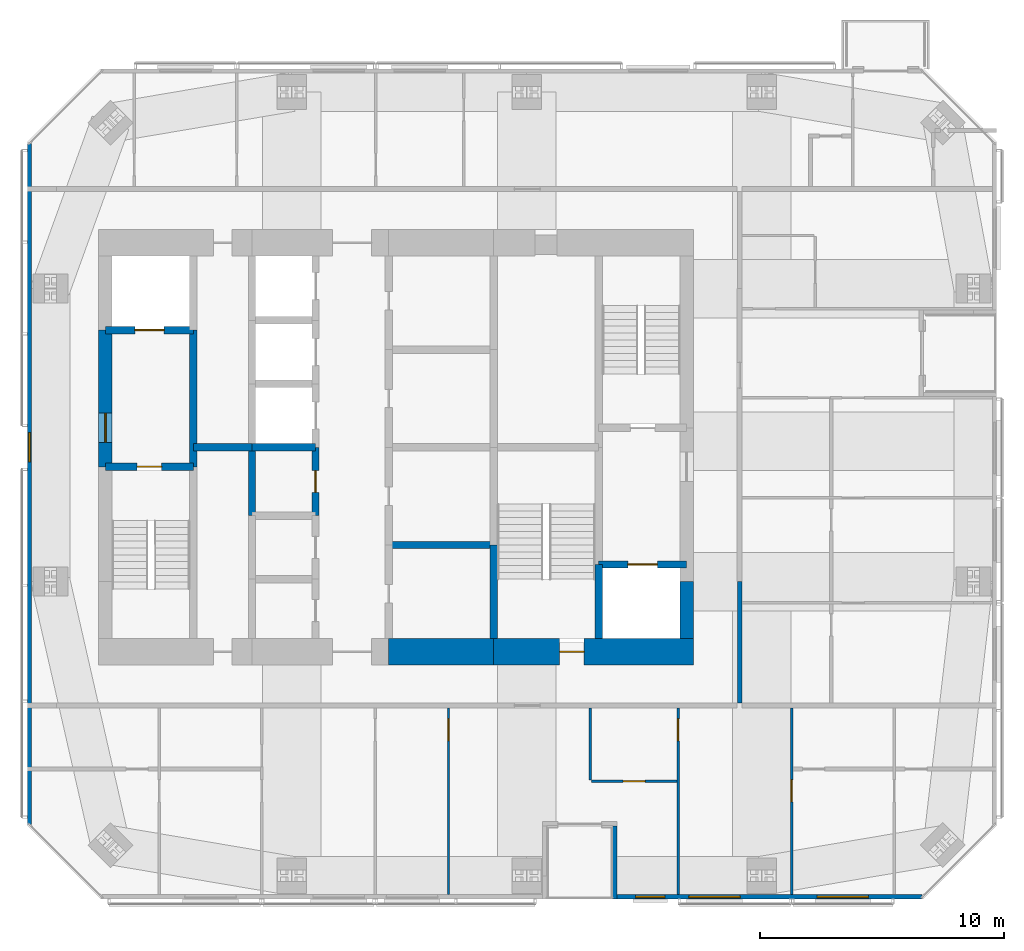
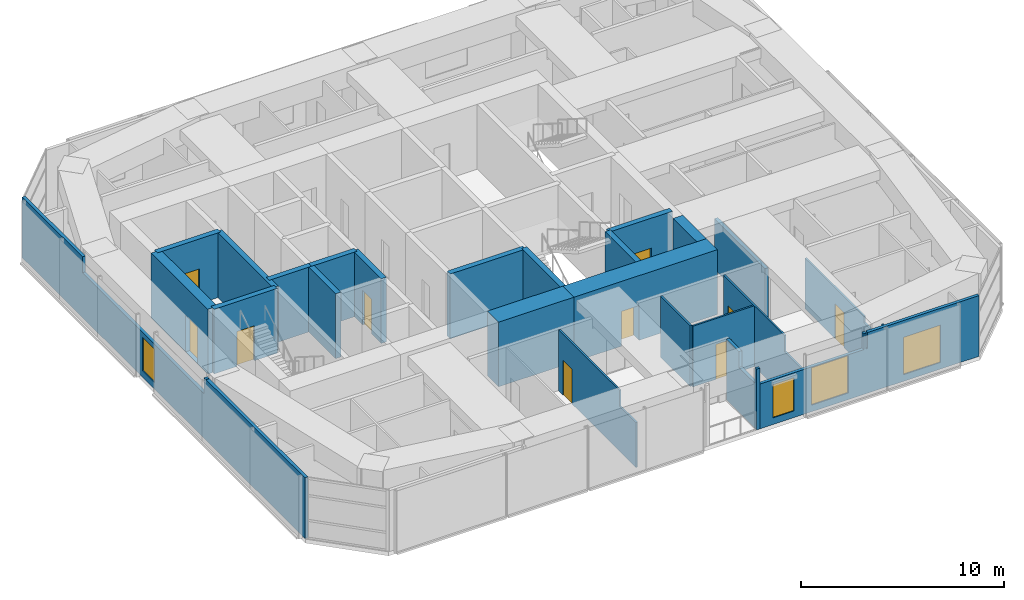
# One storey, part 15 of 20: 24 walls, 10 doors, 4 windows, 14 openings.
"""IFC4 building model written with IfcOpenShell, lengths in metres."""

from ifc_helpers import new_model, si_unit, direction, frame, frame_2d, origin, place, context, subcontext, project, spatial, polyline, rectangle, outline, extrude, material, layer, layer_set, constituent, constituent_set, type_object, element, fill, save


model = new_model("IFC4")

# Units and contexts
model_context = context("Model", 3, precision=1e-05, world=origin(), true_north=direction((0.0, 1.0)))
body_context = subcontext(model_context, "Body", "Model", "MODEL_VIEW")
ifc_project = project(units=[si_unit("LENGTHUNIT", "METRE"), si_unit("AREAUNIT", "SQUARE_METRE"), si_unit("VOLUMEUNIT", "CUBIC_METRE"), si_unit("PLANEANGLEUNIT", "RADIAN"), si_unit("MASSUNIT", "GRAM", prefix="KILO")], contexts=[model_context])

# Site, building, storey
site_placement = place(None, origin())
site = spatial("IfcSite", under=ifc_project, at=site_placement, CompositionType="ELEMENT")
building_placement = place(site_placement, origin())
building = spatial("IfcBuilding", under=site, at=building_placement, Name="Jalousie Tower", CompositionType="ELEMENT")
storey_placement = place(building_placement, frame((0.0, 0.0, 259.949951171875)))
storey = spatial("IfcBuildingStorey", under=building, at=storey_placement, Name="L71", CompositionType="ELEMENT", Elevation=259.949951171875)

# Wall
ifc_material_1 = material(Name="Concrete f'c 120 MPa", Category="concrete")
ifc_layer_1 = layer(ifc_material_1, 1.10009765625)
ifc_layer_set_1 = layer_set([ifc_layer_1], Name="Concrete f'c 120 MPa")
wall_type_1 = type_object("IfcWallType", Name="CORE WALL 1100", PredefinedType="SHEAR", material=ifc_layer_set_1)
wall_1_placement = place(storey_placement, frame((31.60009765625, 10.125, 0.0), z_axis=(0.0, 0.0, 1.0), x_axis=(1.0, 0.0, 0.0)))
element("IfcWall", 1, at=wall_1_placement, inside=storey, type_object=wall_type_1, Name="Core wall SC L71", PredefinedType="SHEAR", context=body_context, shape_type="SweptSolid", body=[
    extrude(rectangle(XDim=4.2998046875, YDim=1.10009765625, at=frame_2d((2.14990234375, 0.0))), origin(), (0.0, 0.0, 1.0), 3.900146484375),
])

# Wall, opening, door
wall_2_placement = place(storey_placement, frame((35.89990234375, 10.125, 0.0), z_axis=(0.0, 0.0, 1.0), x_axis=(1.0, 0.0, 0.0)))
wall_2 = element("IfcWall", 2, at=wall_2_placement, inside=storey, type_object=wall_type_1, Name="Core wall SD L71", PredefinedType="SHEAR", context=body_context, shape_type="SweptSolid", body=[
    extrude(rectangle(XDim=8.175048828125, YDim=1.10009765625, at=frame_2d((4.08740234375, 0.0))), origin(), (0.0, 0.0, 1.0), 3.900146484375),
])
opening_1_placement = place(wall_2_placement, frame((2.699951171875, 0.0, 0.0)))
opening_1 = element("IfcOpeningElement", 3, at=opening_1_placement, cuts=wall_2, Name="Opening D10", PredefinedType="OPENING", context=body_context, shape_type="SweptSolid", body=[
    extrude(rectangle(XDim=1.0, YDim=2.10009765625, at=frame_2d((0.5, 1.050048828125))), frame((0.0, 0.56005859375, 0.0), z_axis=(0.0, -1.0, 0.0), x_axis=(1.0, 0.0, 0.0)), (0.0, 0.0, 1.0), 1.1201171875),
])
ifc_material_2 = material(Name="Steel fire door", Category="steel")
door_type_1 = type_object("IfcDoorType", Name="STAIR DOOR 1000", OperationType="SINGLE_SWING_LEFT", PredefinedType="DOOR", material=ifc_material_2)
door_1_placement = place(opening_1_placement, origin())
door_1 = element("IfcDoor", 4, at=door_1_placement, inside=storey, type_object=door_type_1, Name="Exit stair C door", OperationType="SINGLE_SWING_RIGHT", OverallHeight=2.10009765625, OverallWidth=1.0, PredefinedType="DOOR", context=body_context, shape_type="SweptSolid", body=[
    extrude(rectangle(XDim=1.0, YDim=2.10009765625, at=frame_2d((0.5, 1.050048828125))), frame((0.0, 0.02490234375, 0.0), z_axis=(0.0, -1.0, 0.0), x_axis=(1.0, 0.0, 0.0)), (0.0, 0.0, 1.0), 0.050048828125),
])
fill(opening_1, door_1)

# Walls
ifc_material_3 = material(Name="Concrete f'c 120 MPa", Category="concrete")
ifc_layer_2 = layer(ifc_material_3, 0.300048828125)
ifc_layer_set_2 = layer_set([ifc_layer_2], Name="Concrete f'c 120 MPa")
wall_type_2 = type_object("IfcWallType", Name="CORE WALL 300", PredefinedType="SHEAR", material=ifc_layer_set_2)
wall_3_placement = place(storey_placement, frame((23.60009765625, 17.699951171875, 0.0), z_axis=(0.0, 0.0, 1.0), x_axis=(0.0, 1.0, 0.0)))
element("IfcWall", 5, at=wall_3_placement, inside=storey, type_object=wall_type_2, Name="Core wall X23.6B L71", PredefinedType="SHEAR", context=body_context, shape_type="SweptSolid", body=[
    extrude(rectangle(XDim=5.60009765625, YDim=0.300048828125, at=frame_2d((2.800048828125, 0.0))), origin(), (0.0, 0.0, 1.0), 3.900146484375),
])
wall_4_placement = place(storey_placement, frame((26.0, 15.699951171875, 0.0), z_axis=(0.0, 0.0, 1.0), x_axis=(0.0, 1.0, 0.0)))
element("IfcWall", 6, at=wall_4_placement, inside=storey, type_object=wall_type_2, Name="Core wall X26C L71", PredefinedType="SHEAR", context=body_context, shape_type="SweptSolid", body=[
    extrude(rectangle(XDim=2.800048828125, YDim=0.300048828125, at=frame_2d((1.39990234375, 0.0))), origin(), (0.0, 0.0, 1.0), 3.900146484375),
])

# Wall, opening, door
wall_5_placement = place(storey_placement, frame((28.60009765625, 15.699951171875, 0.0), z_axis=(0.0, 0.0, 1.0), x_axis=(0.0, 1.0, 0.0)))
wall_5 = element("IfcWall", 7, at=wall_5_placement, inside=storey, type_object=wall_type_2, Name="Core wall X28.6C L71", PredefinedType="SHEAR", context=body_context, shape_type="SweptSolid", body=[
    extrude(rectangle(XDim=2.800048828125, YDim=0.300048828125, at=frame_2d((1.39990234375, 0.0))), origin(), (0.0, 0.0, 1.0), 3.900146484375),
])
opening_2_placement = place(wall_5_placement, frame((0.949951171875, 0.0, 0.0)))
opening_2 = element("IfcOpeningElement", 8, at=opening_2_placement, cuts=wall_5, Name="Opening D24", PredefinedType="OPENING", context=body_context, shape_type="SweptSolid", body=[
    extrude(rectangle(XDim=0.89990234375, YDim=2.10009765625, at=frame_2d((0.449951171875, 1.050048828125))), frame((0.0, 0.159912109375, 0.0), z_axis=(0.0, -1.0, 0.0), x_axis=(1.0, 0.0, 0.0)), (0.0, 0.0, 1.0), 0.320068359375),
])
ifc_material_4 = material(Name="Steel fire door", Category="steel")
door_type_2 = type_object("IfcDoorType", Name="CORE ROOM DOOR 900", OperationType="SINGLE_SWING_LEFT", PredefinedType="DOOR", material=ifc_material_4)
door_2_placement = place(opening_2_placement, origin())
door_2 = element("IfcDoor", 9, at=door_2_placement, inside=storey, type_object=door_type_2, Name="Linen store door", OperationType="SINGLE_SWING_LEFT", OverallHeight=2.10009765625, OverallWidth=0.89990234375, PredefinedType="DOOR", context=body_context, shape_type="SweptSolid", body=[
    extrude(rectangle(XDim=0.89990234375, YDim=2.10009765625, at=frame_2d((0.449951171875, 1.050048828125))), frame((0.0, 0.02490234375, 0.0), z_axis=(0.0, -1.0, 0.0), x_axis=(1.0, 0.0, 0.0)), (0.0, 0.0, 1.0), 0.050048828125),
])
fill(opening_2, door_2)

# Walls
wall_6_placement = place(storey_placement, frame((35.89990234375, 10.675048828125, 0.0), z_axis=(0.0, 0.0, 1.0), x_axis=(0.0, 1.0, 0.0)))
element("IfcWall", 10, at=wall_6_placement, inside=storey, type_object=wall_type_2, Name="Core wall X35.9A L71", PredefinedType="SHEAR", context=body_context, shape_type="SweptSolid", body=[
    extrude(rectangle(XDim=3.824951171875, YDim=0.300048828125, at=frame_2d((1.91259765625, 0.0))), origin(), (0.0, 0.0, 1.0), 3.900146484375),
])
wall_7_placement = place(storey_placement, frame((40.199951171875, 10.675048828125, 0.0), z_axis=(0.0, 0.0, 1.0), x_axis=(0.0, 1.0, 0.0)))
element("IfcWall", 11, at=wall_7_placement, inside=storey, type_object=wall_type_2, Name="Core wall X40.2A L71", PredefinedType="SHEAR", context=body_context, shape_type="SweptSolid", body=[
    extrude(rectangle(XDim=3.02490234375, YDim=0.300048828125, at=frame_2d((1.512451171875, 0.0))), origin(), (0.0, 0.0, 1.0), 3.900146484375),
])

# Wall, opening, door
wall_8_placement = place(storey_placement, frame((20.0, 17.699951171875, 0.0), z_axis=(0.0, 0.0, 1.0), x_axis=(1.0, 0.0, 0.0)))
wall_8 = element("IfcWall", 12, at=wall_8_placement, inside=storey, type_object=wall_type_2, Name="Core wall Y20-17.7 L71", PredefinedType="SHEAR", context=body_context, shape_type="SweptSolid", body=[
    extrude(rectangle(XDim=3.60009765625, YDim=0.300048828125, at=frame_2d((1.800048828125, 0.0))), origin(), (0.0, 0.0, 1.0), 3.900146484375),
])
opening_3_placement = place(wall_8_placement, frame((1.300048828125, 0.0, 0.0)))
opening_3 = element("IfcOpeningElement", 13, at=opening_3_placement, cuts=wall_8, Name="Opening D10", PredefinedType="OPENING", context=body_context, shape_type="SweptSolid", body=[
    extrude(rectangle(XDim=1.0, YDim=2.10009765625, at=frame_2d((0.5, 1.050048828125))), frame((0.0, 0.159912109375, 0.0), z_axis=(0.0, -1.0, 0.0), x_axis=(1.0, 0.0, 0.0)), (0.0, 0.0, 1.0), 0.320068359375),
])
door_3_placement = place(opening_3_placement, frame((1.0, 0.0, 0.0), z_axis=(0.0, 0.0, 1.0), x_axis=(-1.0, 0.0, 0.0)))
door_3 = element("IfcDoor", 14, at=door_3_placement, inside=storey, type_object=door_type_1, Name="Exit stair A door", OperationType="SINGLE_SWING_RIGHT", OverallHeight=2.10009765625, OverallWidth=1.0, PredefinedType="DOOR", context=body_context, shape_type="SweptSolid", body=[
    extrude(rectangle(XDim=1.0, YDim=2.10009765625, at=frame_2d((0.5, 1.050048828125))), frame((0.0, 0.02490234375, 0.0), z_axis=(0.0, -1.0, 0.0), x_axis=(1.0, 0.0, 0.0)), (0.0, 0.0, 1.0), 0.050048828125),
])
fill(opening_3, door_3)

wall_9_placement = place(storey_placement, frame((20.0, 23.300048828125, 0.0), z_axis=(0.0, 0.0, 1.0), x_axis=(1.0, 0.0, 0.0)))
wall_9 = element("IfcWall", 15, at=wall_9_placement, inside=storey, type_object=wall_type_2, Name="Core wall Y20-23.3 L71", PredefinedType="SHEAR", context=body_context, shape_type="SweptSolid", body=[
    extrude(rectangle(XDim=3.60009765625, YDim=0.300048828125, at=frame_2d((1.800048828125, 0.0))), origin(), (0.0, 0.0, 1.0), 3.900146484375),
])
opening_4_placement = place(wall_9_placement, frame((1.199951171875, 0.0, 0.0)))
opening_4 = element("IfcOpeningElement", 16, at=opening_4_placement, cuts=wall_9, Name="Opening LD2", PredefinedType="OPENING", context=body_context, shape_type="SweptSolid", body=[
    extrude(rectangle(XDim=1.199951171875, YDim=2.10009765625, at=frame_2d((0.60009765625, 1.050048828125))), frame((0.0, 0.159912109375, 0.0), z_axis=(0.0, -1.0, 0.0), x_axis=(1.0, 0.0, 0.0)), (0.0, 0.0, 1.0), 0.320068359375),
])
ifc_material_5 = material(Name="Steel lift landing door", Category="steel")
door_type_3 = type_object("IfcDoorType", Name="LIFT LANDING DOOR 1200", OperationType="SLIDING_TO_LEFT", PredefinedType="DOOR", material=ifc_material_5)
door_4_placement = place(opening_4_placement, origin())
door_4 = element("IfcDoor", 17, at=door_4_placement, inside=storey, type_object=door_type_3, Name="Lift F1 landing door", OperationType="SLIDING_TO_LEFT", OverallHeight=2.10009765625, OverallWidth=1.199951171875, PredefinedType="DOOR", context=body_context, shape_type="SweptSolid", body=[
    extrude(rectangle(XDim=1.199951171875, YDim=2.10009765625, at=frame_2d((0.60009765625, 1.050048828125))), frame((0.0, 0.02490234375, 0.0), z_axis=(0.0, -1.0, 0.0), x_axis=(1.0, 0.0, 0.0)), (0.0, 0.0, 1.0), 0.050048828125),
])
fill(opening_4, door_4)

# Walls
wall_10_placement = place(storey_placement, frame((23.60009765625, 18.5, 0.0), z_axis=(0.0, 0.0, 1.0), x_axis=(1.0, 0.0, 0.0)))
element("IfcWall", 18, at=wall_10_placement, inside=storey, type_object=wall_type_2, Name="Core wall Y23.6-18.5 L71", PredefinedType="SHEAR", context=body_context, shape_type="SweptSolid", body=[
    extrude(rectangle(XDim=2.39990234375, YDim=0.300048828125, at=frame_2d((1.199951171875, 0.0))), origin(), (0.0, 0.0, 1.0), 3.900146484375),
])
wall_11_placement = place(storey_placement, frame((26.0, 18.5, 0.0), z_axis=(0.0, 0.0, 1.0), x_axis=(1.0, 0.0, 0.0)))
element("IfcWall", 19, at=wall_11_placement, inside=storey, type_object=wall_type_2, Name="Core wall Y26-18.5 L71", PredefinedType="SHEAR", context=body_context, shape_type="SweptSolid", body=[
    extrude(rectangle(XDim=2.60009765625, YDim=0.300048828125, at=frame_2d((1.300048828125, 0.0))), origin(), (0.0, 0.0, 1.0), 3.900146484375),
])
wall_12_placement = place(storey_placement, frame((31.60009765625, 14.5, 0.0), z_axis=(0.0, 0.0, 1.0), x_axis=(1.0, 0.0, 0.0)))
element("IfcWall", 20, at=wall_12_placement, inside=storey, type_object=wall_type_2, Name="Core wall Y31.6-14.5 L71", PredefinedType="SHEAR", context=body_context, shape_type="SweptSolid", body=[
    extrude(rectangle(XDim=4.2998046875, YDim=0.300048828125, at=frame_2d((2.14990234375, 0.0))), origin(), (0.0, 0.0, 1.0), 3.900146484375),
])

# Wall, opening, door
wall_13_placement = place(storey_placement, frame((40.199951171875, 13.699951171875, 0.0), z_axis=(0.0, 0.0, 1.0), x_axis=(1.0, 0.0, 0.0)))
wall_13 = element("IfcWall", 21, at=wall_13_placement, inside=storey, type_object=wall_type_2, Name="Core wall Y40.2-13.7 L71", PredefinedType="SHEAR", context=body_context, shape_type="SweptSolid", body=[
    extrude(rectangle(XDim=3.60009765625, YDim=0.300048828125, at=frame_2d((1.800048828125, 0.0))), origin(), (0.0, 0.0, 1.0), 3.900146484375),
])
opening_5_placement = place(wall_13_placement, frame((1.199951171875, 0.0, 0.0)))
opening_5 = element("IfcOpeningElement", 22, at=opening_5_placement, cuts=wall_13, Name="Opening LD2", PredefinedType="OPENING", context=body_context, shape_type="SweptSolid", body=[
    extrude(rectangle(XDim=1.199951171875, YDim=2.10009765625, at=frame_2d((0.60009765625, 1.050048828125))), frame((0.0, 0.159912109375, 0.0), z_axis=(0.0, -1.0, 0.0), x_axis=(1.0, 0.0, 0.0)), (0.0, 0.0, 1.0), 0.320068359375),
])
door_5_placement = place(opening_5_placement, origin())
door_5 = element("IfcDoor", 23, at=door_5_placement, inside=storey, type_object=door_type_3, Name="Lift F2 landing door", OperationType="SLIDING_TO_LEFT", OverallHeight=2.10009765625, OverallWidth=1.199951171875, PredefinedType="DOOR", context=body_context, shape_type="SweptSolid", body=[
    extrude(rectangle(XDim=1.199951171875, YDim=2.10009765625, at=frame_2d((0.60009765625, 1.050048828125))), frame((0.0, 0.02490234375, 0.0), z_axis=(0.0, -1.0, 0.0), x_axis=(1.0, 0.0, 0.0)), (0.0, 0.0, 1.0), 0.050048828125),
])
fill(opening_5, door_5)

ifc_material_6 = material(Name="Concrete f'c 120 MPa", Category="concrete")
ifc_layer_3 = layer(ifc_material_6, 0.550048828125)
ifc_layer_set_3 = layer_set([ifc_layer_3], Name="Concrete f'c 120 MPa")
wall_type_3 = type_object("IfcWallType", Name="CORE WALL 550", PredefinedType="SHEAR", material=ifc_layer_set_3)
wall_14_placement = place(storey_placement, frame((20.0, 23.300048828125, 0.0), z_axis=(0.0, 0.0, 1.0), x_axis=(0.0, -1.0, 0.0)))
wall_14 = element("IfcWall", 24, at=wall_14_placement, inside=storey, type_object=wall_type_3, Name="Core wall WB L71", PredefinedType="SHEAR", context=body_context, shape_type="SweptSolid", body=[
    extrude(rectangle(XDim=5.60009765625, YDim=0.550048828125, at=frame_2d((2.800048828125, 0.0))), origin(), (0.0, 0.0, 1.0), 3.900146484375),
])
opening_6_placement = place(wall_14_placement, frame((3.39990234375, 0.0, 0.0)))
opening_6 = element("IfcOpeningElement", 25, at=opening_6_placement, cuts=wall_14, Name="Opening D11", PredefinedType="OPENING", context=body_context, shape_type="SweptSolid", body=[
    extrude(rectangle(XDim=1.199951171875, YDim=2.199951171875, at=frame_2d((0.60009765625, 1.10009765625))), frame((0.0, 0.284912109375, 0.0), z_axis=(0.0, -1.0, 0.0), x_axis=(1.0, 0.0, 0.0)), (0.0, 0.0, 1.0), 0.570068359375),
])
ifc_material_7 = material(Name="Steel fire door", Category="steel")
door_type_4 = type_object("IfcDoorType", Name="FIRE DOOR 1200", OperationType="SINGLE_SWING_LEFT", PredefinedType="DOOR", material=ifc_material_7)
door_6_placement = place(opening_6_placement, origin())
door_6 = element("IfcDoor", 26, at=door_6_placement, inside=storey, type_object=door_type_4, Name="Fire-fighting lobby A door", OperationType="SINGLE_SWING_RIGHT", OverallHeight=2.199951171875, OverallWidth=1.199951171875, PredefinedType="DOOR", context=body_context, shape_type="SweptSolid", body=[
    extrude(rectangle(XDim=1.199951171875, YDim=2.199951171875, at=frame_2d((0.60009765625, 1.10009765625))), frame((0.0, 0.02490234375, 0.0), z_axis=(0.0, -1.0, 0.0), x_axis=(1.0, 0.0, 0.0)), (0.0, 0.0, 1.0), 0.050048828125),
])
fill(opening_6, door_6)

# Walls
wall_15_placement = place(storey_placement, frame((43.800048828125, 10.675048828125, 0.0), z_axis=(0.0, 0.0, 1.0), x_axis=(0.0, 1.0, 0.0)))
element("IfcWall", 27, at=wall_15_placement, inside=storey, type_object=wall_type_3, Name="Core wall EA L71", PredefinedType="SHEAR", context=body_context, shape_type="SweptSolid", body=[
    extrude(rectangle(XDim=2.324951171875, YDim=0.550048828125, at=frame_2d((1.16259765625, 0.0))), origin(), (0.0, 0.0, 1.0), 3.900146484375),
])
ifc_material_8 = material(Name="Concrete block ASTM C90", Category="concrete")
ifc_constituent_1 = constituent(ifc_material_8, Name="Body")
ifc_material_9 = material(Name="Render")
ifc_constituent_2 = constituent(ifc_material_9, Name="Finish")
ifc_constituent_set_1 = constituent_set(constituents=[ifc_constituent_1, ifc_constituent_2])
wall_type_4 = type_object("IfcWallType", Name="CORRIDOR WALL 200", PredefinedType="PARTITIONING", material=ifc_constituent_set_1)
wall_16_placement = place(storey_placement, frame((45.97509765625, 8.02490234375, 0.0), z_axis=(0.0, 0.0, 1.0), x_axis=(0.0, 1.0, 0.0)))
element("IfcWall", 28, at=wall_16_placement, inside=storey, type_object=wall_type_4, Name="Corridor Wall 200 L71-A", PredefinedType="PARTITIONING", context=body_context, shape_type="SweptSolid", body=[
    extrude(rectangle(XDim=4.97509765625, YDim=0.199951171875, at=frame_2d((2.487548828125, 0.0))), origin(), (0.0, 0.0, 1.0), 3.06005859375),
])

# Wall, openings, windows
ifc_material_10 = material(Name="Concrete f'c 40 MPa", Category="concrete")
ifc_constituent_3 = constituent(ifc_material_10, Name="Body")
ifc_material_11 = material(Name="Render, pastel sky blue")
ifc_constituent_4 = constituent(ifc_material_11, Name="Finish")
ifc_constituent_set_2 = constituent_set(constituents=[ifc_constituent_3, ifc_constituent_4])
wall_type_5 = type_object("IfcWallType", Name="EXTERNAL WALL 175 SKY BLUE RENDER", PredefinedType="SOLIDWALL", material=ifc_constituent_set_2)
wall_17_placement = place(storey_placement, frame((40.949951171875, 0.08740234375, 0.0), z_axis=(0.0, 0.0, 1.0), x_axis=(1.0, 0.0, 0.0)))
wall_17 = element("IfcWall", 29, at=wall_17_placement, inside=storey, type_object=wall_type_5, Name="External Wall 175 Sky Blue Render L71", PredefinedType="SOLIDWALL", context=body_context, shape_type="SweptSolid", body=[
    extrude(outline(polyline([(0.0, 0.0), (12.498779296875, 0.0), (12.498779296875, 3.66015625), (6.139892578125, 3.66015625), (6.139892578125, 2.699951171875), (6.056396484375, 2.699951171875), (6.056396484375, 3.66015625), (5.925048828125, 3.66015625), (5.925048828125, 2.699951171875), (0.0, 2.699951171875), (0.0, 0.0)])), frame((0.0, 0.08740234375, 0.0), z_axis=(0.0, -1.0, 0.0), x_axis=(1.0, 0.0, 0.0)), (0.0, 0.0, 1.0), 0.175048828125),
])
opening_7_placement = place(wall_17_placement, frame((0.76123046875, 0.0, 0.39990234375)))
opening_7 = element("IfcOpeningElement", 30, at=opening_7_placement, cuts=wall_17, Name="Opening W-COR", PredefinedType="OPENING", context=body_context, shape_type="SweptSolid", body=[
    extrude(rectangle(XDim=1.199951171875, YDim=2.0, at=frame_2d((0.60009765625, 1.0))), frame((0.0, 0.097412109375, 0.0), z_axis=(0.0, -1.0, 0.0), x_axis=(1.0, 0.0, 0.0)), (0.0, 0.0, 1.0), 0.195068359375),
])
opening_8_placement = place(wall_17_placement, frame((2.94384765625, 0.0, 0.39990234375)))
opening_8 = element("IfcOpeningElement", 31, at=opening_8_placement, cuts=wall_17, Name="Opening W-BEDPH225", PredefinedType="OPENING", context=body_context, shape_type="SweptSolid", body=[
    extrude(rectangle(XDim=2.10009765625, YDim=2.25, at=frame_2d((1.050048828125, 1.125))), frame((0.0, 0.097412109375, 0.0), z_axis=(0.0, -1.0, 0.0), x_axis=(1.0, 0.0, 0.0)), (0.0, 0.0, 1.0), 0.195068359375),
])
opening_9_placement = place(wall_17_placement, frame((8.199951171875, 0.0, 0.39990234375)))
opening_9 = element("IfcOpeningElement", 32, at=opening_9_placement, cuts=wall_17, Name="Opening W-BEDPH225", PredefinedType="OPENING", context=body_context, shape_type="SweptSolid", body=[
    extrude(rectangle(XDim=2.10009765625, YDim=2.25, at=frame_2d((1.050048828125, 1.125))), frame((0.0, 0.097412109375, 0.0), z_axis=(0.0, -1.0, 0.0), x_axis=(1.0, 0.0, 0.0)), (0.0, 0.0, 1.0), 0.195068359375),
])
ifc_material_12 = material(Name="Aluminium frame, impact-rated glazing", Category="aluminium")
window_type_1 = type_object("IfcWindowType", Name="WINDOW BEDPH 2100x2250", PartitioningType="DOUBLE_PANEL_VERTICAL", PredefinedType="WINDOW", material=ifc_material_12)
window_1_placement = place(opening_8_placement, origin())
window_1 = element("IfcWindow", 33, at=window_1_placement, inside=storey, type_object=window_type_1, Name="Apartment 7101 snug window", OverallHeight=2.25, OverallWidth=2.10009765625, PartitioningType="SINGLE_PANEL", PredefinedType="WINDOW", context=body_context, shape_type="SweptSolid", body=[
    extrude(rectangle(XDim=2.10009765625, YDim=2.25, at=frame_2d((1.050048828125, 1.125))), frame((0.0, 0.030029296875, 0.0), z_axis=(0.0, -1.0, 0.0), x_axis=(1.0, 0.0, 0.0)), (0.0, 0.0, 1.0), 0.06005859375),
])
fill(opening_8, window_1)
window_2_placement = place(opening_9_placement, origin())
window_2 = element("IfcWindow", 34, at=window_2_placement, inside=storey, type_object=window_type_1, Name="Apartment 7101 bedroom 3 window", OverallHeight=2.25, OverallWidth=2.10009765625, PartitioningType="SINGLE_PANEL", PredefinedType="WINDOW", context=body_context, shape_type="SweptSolid", body=[
    extrude(rectangle(XDim=2.10009765625, YDim=2.25, at=frame_2d((1.050048828125, 1.125))), frame((0.0, 0.030029296875, 0.0), z_axis=(0.0, -1.0, 0.0), x_axis=(1.0, 0.0, 0.0)), (0.0, 0.0, 1.0), 0.06005859375),
])
fill(opening_9, window_2)
ifc_material_13 = material(Name="Aluminium frame, impact-rated glazing", Category="aluminium")
window_type_2 = type_object("IfcWindowType", Name="WINDOW COR 1200x2000", PartitioningType="SINGLE_PANEL", PredefinedType="WINDOW", material=ifc_material_13)
window_3_placement = place(opening_7_placement, origin())
window_3 = element("IfcWindow", 35, at=window_3_placement, inside=storey, type_object=window_type_2, Name="Apartment 7101 living and dining room window", OverallHeight=2.0, OverallWidth=1.199951171875, PartitioningType="SINGLE_PANEL", PredefinedType="WINDOW", context=body_context, shape_type="SweptSolid", body=[
    extrude(rectangle(XDim=1.199951171875, YDim=2.0, at=frame_2d((0.60009765625, 1.0))), frame((0.0, 0.030029296875, 0.0), z_axis=(0.0, -1.0, 0.0), x_axis=(1.0, 0.0, 0.0)), (0.0, 0.0, 1.0), 0.06005859375),
])
fill(opening_7, window_3)

# Wall
wall_18_placement = place(storey_placement, frame((40.862548828125, 0.0, 0.0), z_axis=(0.0, 0.0, 1.0), x_axis=(0.0, 1.0, 0.0)))
element("IfcWall", 36, at=wall_18_placement, inside=storey, type_object=wall_type_5, Name="External Wall 175 Sky Blue Render L71", PredefinedType="SOLIDWALL", context=body_context, shape_type="SweptSolid", body=[
    extrude(outline(polyline([(0.0, 0.0), (3.0, 0.0), (3.0, 3.66015625), (1.75, 3.66015625), (1.75, 2.699951171875), (0.14990234375, 2.699951171875), (0.14990234375, 3.66015625), (0.0, 3.66015625), (0.0, 0.0)])), frame((0.0, 0.08740234375, 0.0), z_axis=(0.0, -1.0, 0.0), x_axis=(1.0, 0.0, 0.0)), (0.0, 0.0, 1.0), 0.175048828125),
])

# Wall, opening, window
wall_19_placement = place(storey_placement, frame((16.887451171875, 30.94873046875, 0.0), z_axis=(0.0, 0.0, 1.0), x_axis=(0.0, -1.0, 0.0)))
wall_19 = element("IfcWall", 37, at=wall_19_placement, inside=storey, type_object=wall_type_5, Name="External Wall 175 Sky Blue Render L71", PredefinedType="SOLIDWALL", context=body_context, shape_type="SweptSolid", body=[
    extrude(outline(polyline([(0.0, 0.0), (27.8974609375, 0.0), (27.8974609375, 3.66015625), (18.1484375, 3.66015625), (18.1484375, 2.699951171875), (18.125, 2.699951171875), (18.125, 3.66015625), (17.94873046875, 3.66015625), (17.94873046875, 2.699951171875), (5.94873046875, 2.699951171875), (5.94873046875, 3.66015625), (0.0, 3.66015625), (0.0, 0.0)])), frame((0.0, 0.08740234375, 0.0), z_axis=(0.0, -1.0, 0.0), x_axis=(1.0, 0.0, 0.0)), (0.0, 0.0, 1.0), 0.175048828125),
])
opening_10_placement = place(wall_19_placement, frame((11.8486328125, 0.0, 0.39990234375)))
opening_10 = element("IfcOpeningElement", 38, at=opening_10_placement, cuts=wall_19, Name="Opening W-COR", PredefinedType="OPENING", context=body_context, shape_type="SweptSolid", body=[
    extrude(rectangle(XDim=1.199951171875, YDim=2.0, at=frame_2d((0.60009765625, 1.0))), frame((0.0, 0.097412109375, 0.0), z_axis=(0.0, -1.0, 0.0), x_axis=(1.0, 0.0, 0.0)), (0.0, 0.0, 1.0), 0.195068359375),
])
window_4_placement = place(opening_10_placement, origin())
window_4 = element("IfcWindow", 39, at=window_4_placement, inside=storey, type_object=window_type_2, Name="Corridor window", OverallHeight=2.0, OverallWidth=1.199951171875, PartitioningType="SINGLE_PANEL", PredefinedType="WINDOW", context=body_context, shape_type="SweptSolid", body=[
    extrude(rectangle(XDim=1.199951171875, YDim=2.0, at=frame_2d((0.60009765625, 1.0))), frame((0.0, 0.030029296875, 0.0), z_axis=(0.0, -1.0, 0.0), x_axis=(1.0, 0.0, 0.0)), (0.0, 0.0, 1.0), 0.06005859375),
])
fill(opening_10, window_4)

# Wall, opening, door
ifc_material_14 = material(Name="Gypsum board", Category="gypsum")
ifc_constituent_5 = constituent(ifc_material_14, Name="Body")
ifc_material_15 = material(Name="Light-gauge steel studs ASTM A653 SS Grade 33", Category="steel")
ifc_constituent_6 = constituent(ifc_material_15, Name="Framing")
ifc_constituent_set_3 = constituent_set(constituents=[ifc_constituent_5, ifc_constituent_6])
wall_type_6 = type_object("IfcWallType", Name="PARTITION 100", PredefinedType="PARTITIONING", material=ifc_constituent_set_3)
wall_20_placement = place(storey_placement, frame((48.10009765625, 0.175048828125, 0.0), z_axis=(0.0, 0.0, 1.0), x_axis=(0.0, 1.0, 0.0)))
wall_20 = element("IfcWall", 40, at=wall_20_placement, inside=storey, type_object=wall_type_6, Name="Partition 100 L71", PredefinedType="PARTITIONING", context=body_context, shape_type="SweptSolid", body=[
    extrude(outline(polyline([(0.0, 0.0), (7.64990234375, 0.0), (7.64990234375, 3.66015625), (7.64990234375, 3.06005859375), (1.85498046875, 3.06005859375), (1.85498046875, 2.699951171875), (0.1103515625, 2.699951171875), (0.1103515625, 3.66015625), (0.0, 3.66015625), (0.0, 0.0)])), frame((0.0, 0.050048828125, 0.0), z_axis=(0.0, -1.0, 0.0), x_axis=(1.0, 0.0, 0.0)), (0.0, 0.0, 1.0), 0.10009765625),
])
opening_11_placement = place(wall_20_placement, frame((3.800048828125, 0.0, 0.0)))
opening_11 = element("IfcOpeningElement", 41, at=opening_11_placement, cuts=wall_20, Name="Opening D2", PredefinedType="OPENING", context=body_context, shape_type="SweptSolid", body=[
    extrude(rectangle(XDim=0.89990234375, YDim=2.10009765625, at=frame_2d((0.449951171875, 1.050048828125))), frame((0.0, 0.06005859375, 0.0), z_axis=(0.0, -1.0, 0.0), x_axis=(1.0, 0.0, 0.0)), (0.0, 0.0, 1.0), 0.1201171875),
])
ifc_material_16 = material(Name="Timber door", Category="wood")
door_type_5 = type_object("IfcDoorType", Name="BEDROOM DOOR 900", OperationType="SINGLE_SWING_LEFT", PredefinedType="DOOR", material=ifc_material_16)
door_7_placement = place(opening_11_placement, origin())
door_7 = element("IfcDoor", 42, at=door_7_placement, inside=storey, type_object=door_type_5, Name="Apartment 7101 bedroom 3 door", OperationType="SINGLE_SWING_RIGHT", OverallHeight=2.10009765625, OverallWidth=0.89990234375, PredefinedType="DOOR", context=body_context, shape_type="SweptSolid", body=[
    extrude(rectangle(XDim=0.89990234375, YDim=2.10009765625, at=frame_2d((0.449951171875, 1.050048828125))), frame((0.0, 0.02490234375, 0.0), z_axis=(0.0, -1.0, 0.0), x_axis=(1.0, 0.0, 0.0)), (0.0, 0.0, 1.0), 0.050048828125),
])
fill(opening_11, door_7)

wall_21_placement = place(storey_placement, frame((34.050048828125, 0.175048828125, 0.0), z_axis=(0.0, 0.0, 1.0), x_axis=(0.0, 1.0, 0.0)))
wall_21 = element("IfcWall", 43, at=wall_21_placement, inside=storey, type_object=wall_type_6, Name="Partition 100 L71", PredefinedType="PARTITIONING", context=body_context, shape_type="SweptSolid", body=[
    extrude(outline(polyline([(0.0, 0.0), (7.64990234375, 0.0), (7.64990234375, 3.66015625), (1.635009765625, 3.66015625), (1.635009765625, 2.699951171875), (0.0, 2.699951171875), (0.0, 3.66015625), (0.0, 0.0)])), frame((0.0, 0.050048828125, 0.0), z_axis=(0.0, -1.0, 0.0), x_axis=(1.0, 0.0, 0.0)), (0.0, 0.0, 1.0), 0.10009765625),
])
opening_12_placement = place(wall_21_placement, frame((6.300048828125, 0.0, 0.0)))
opening_12 = element("IfcOpeningElement", 44, at=opening_12_placement, cuts=wall_21, Name="Opening D2", PredefinedType="OPENING", context=body_context, shape_type="SweptSolid", body=[
    extrude(rectangle(XDim=0.89990234375, YDim=2.10009765625, at=frame_2d((0.449951171875, 1.050048828125))), frame((0.0, 0.06005859375, 0.0), z_axis=(0.0, -1.0, 0.0), x_axis=(1.0, 0.0, 0.0)), (0.0, 0.0, 1.0), 0.1201171875),
])
door_8_placement = place(opening_12_placement, origin())
door_8 = element("IfcDoor", 45, at=door_8_placement, inside=storey, type_object=door_type_5, Name="Apartment 7101 home office door", OperationType="SINGLE_SWING_RIGHT", OverallHeight=2.10009765625, OverallWidth=0.89990234375, PredefinedType="DOOR", context=body_context, shape_type="SweptSolid", body=[
    extrude(rectangle(XDim=0.89990234375, YDim=2.10009765625, at=frame_2d((0.449951171875, 1.050048828125))), frame((0.0, 0.02490234375, 0.0), z_axis=(0.0, -1.0, 0.0), x_axis=(1.0, 0.0, 0.0)), (0.0, 0.0, 1.0), 0.050048828125),
])
fill(opening_12, door_8)

wall_22_placement = place(storey_placement, frame((43.449951171875, 0.175048828125, 0.0), z_axis=(0.0, 0.0, 1.0), x_axis=(0.0, 1.0, 0.0)))
wall_22 = element("IfcWall", 46, at=wall_22_placement, inside=storey, type_object=wall_type_6, Name="Partition 100 L71", PredefinedType="PARTITIONING", context=body_context, shape_type="SweptSolid", body=[
    extrude(outline(polyline([(0.0, 0.0), (7.64990234375, 0.0), (7.64990234375, 3.66015625), (1.635009765625, 3.66015625), (1.635009765625, 2.699951171875), (0.0, 2.699951171875), (0.0, 3.66015625), (0.0, 0.0)])), frame((0.0, 0.050048828125, 0.0), z_axis=(0.0, -1.0, 0.0), x_axis=(1.0, 0.0, 0.0)), (0.0, 0.0, 1.0), 0.10009765625),
])
opening_13_placement = place(wall_22_placement, frame((6.300048828125, 0.0, 0.0)))
opening_13 = element("IfcOpeningElement", 47, at=opening_13_placement, cuts=wall_22, Name="Opening D2", PredefinedType="OPENING", context=body_context, shape_type="SweptSolid", body=[
    extrude(rectangle(XDim=0.89990234375, YDim=2.10009765625, at=frame_2d((0.449951171875, 1.050048828125))), frame((0.0, 0.06005859375, 0.0), z_axis=(0.0, -1.0, 0.0), x_axis=(1.0, 0.0, 0.0)), (0.0, 0.0, 1.0), 0.1201171875),
])
door_9_placement = place(opening_13_placement, frame((0.89990234375, 0.0, 0.0), z_axis=(0.0, 0.0, 1.0), x_axis=(-1.0, 0.0, 0.0)))
door_9 = element("IfcDoor", 48, at=door_9_placement, inside=storey, type_object=door_type_5, Name="Apartment 7101 snug door", OperationType="SINGLE_SWING_LEFT", OverallHeight=2.10009765625, OverallWidth=0.89990234375, PredefinedType="DOOR", context=body_context, shape_type="SweptSolid", body=[
    extrude(rectangle(XDim=0.89990234375, YDim=2.10009765625, at=frame_2d((0.449951171875, 1.050048828125))), frame((0.0, 0.02490234375, 0.0), z_axis=(0.0, -1.0, 0.0), x_axis=(1.0, 0.0, 0.0)), (0.0, 0.0, 1.0), 0.050048828125),
])
fill(opening_13, door_9)

wall_23_placement = place(storey_placement, frame((39.89990234375, 4.824951171875, 0.0), z_axis=(0.0, 0.0, 1.0), x_axis=(1.0, 0.0, 0.0)))
wall_23 = element("IfcWall", 49, at=wall_23_placement, inside=storey, type_object=wall_type_6, Name="Partition 100 L71", PredefinedType="PARTITIONING", context=body_context, shape_type="SweptSolid", body=[
    extrude(rectangle(XDim=3.5, YDim=0.10009765625, at=frame_2d((1.75, 0.0))), origin(), (0.0, 0.0, 1.0), 3.66015625),
])
opening_14_placement = place(wall_23_placement, frame((1.300048828125, 0.0, 0.0)))
opening_14 = element("IfcOpeningElement", 50, at=opening_14_placement, cuts=wall_23, Name="Opening D7", PredefinedType="OPENING", context=body_context, shape_type="SweptSolid", body=[
    extrude(rectangle(XDim=0.89990234375, YDim=2.10009765625, at=frame_2d((0.449951171875, 1.050048828125))), frame((0.0, 0.06005859375, 0.0), z_axis=(0.0, -1.0, 0.0), x_axis=(1.0, 0.0, 0.0)), (0.0, 0.0, 1.0), 0.1201171875),
])
ifc_material_17 = material(Name="Timber door", Category="wood")
door_type_6 = type_object("IfcDoorType", Name="INTERNAL DOOR 900", OperationType="SINGLE_SWING_LEFT", PredefinedType="DOOR", material=ifc_material_17)
door_10_placement = place(opening_14_placement, frame((0.89990234375, 0.0, 0.0), z_axis=(0.0, 0.0, 1.0), x_axis=(-1.0, 0.0, 0.0)))
door_10 = element("IfcDoor", 51, at=door_10_placement, inside=storey, type_object=door_type_6, Name="Apartment 7101 kitchen door", OperationType="SINGLE_SWING_LEFT", OverallHeight=2.10009765625, OverallWidth=0.89990234375, PredefinedType="DOOR", context=body_context, shape_type="SweptSolid", body=[
    extrude(rectangle(XDim=0.89990234375, YDim=2.10009765625, at=frame_2d((0.449951171875, 1.050048828125))), frame((0.0, 0.02490234375, 0.0), z_axis=(0.0, -1.0, 0.0), x_axis=(1.0, 0.0, 0.0)), (0.0, 0.0, 1.0), 0.050048828125),
])
fill(opening_14, door_10)

# Wall
wall_24_placement = place(storey_placement, frame((39.85009765625, 4.875, 0.0), z_axis=(0.0, 0.0, 1.0), x_axis=(0.0, 1.0, 0.0)))
element("IfcWall", 52, at=wall_24_placement, inside=storey, type_object=wall_type_6, Name="Partition 100 L71", PredefinedType="PARTITIONING", context=body_context, shape_type="SweptSolid", body=[
    extrude(rectangle(XDim=2.949951171875, YDim=0.10009765625, at=frame_2d((1.47509765625, 0.0))), origin(), (0.0, 0.0, 1.0), 3.66015625),
])

save(model, "model.ifc")
